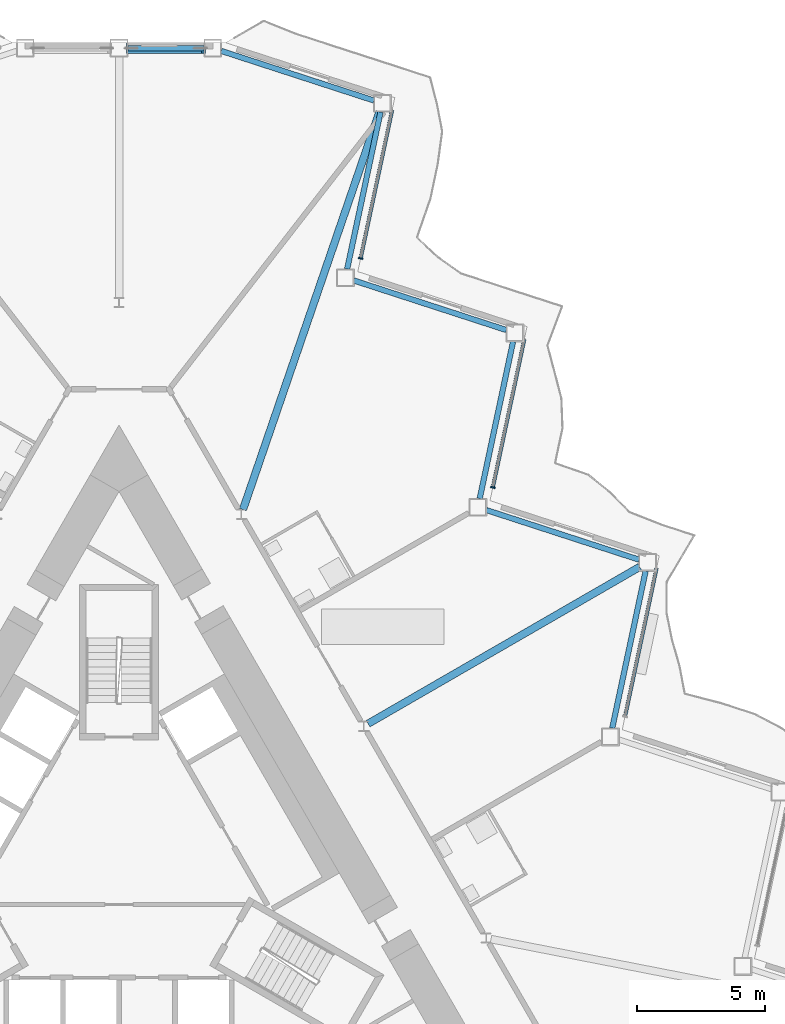
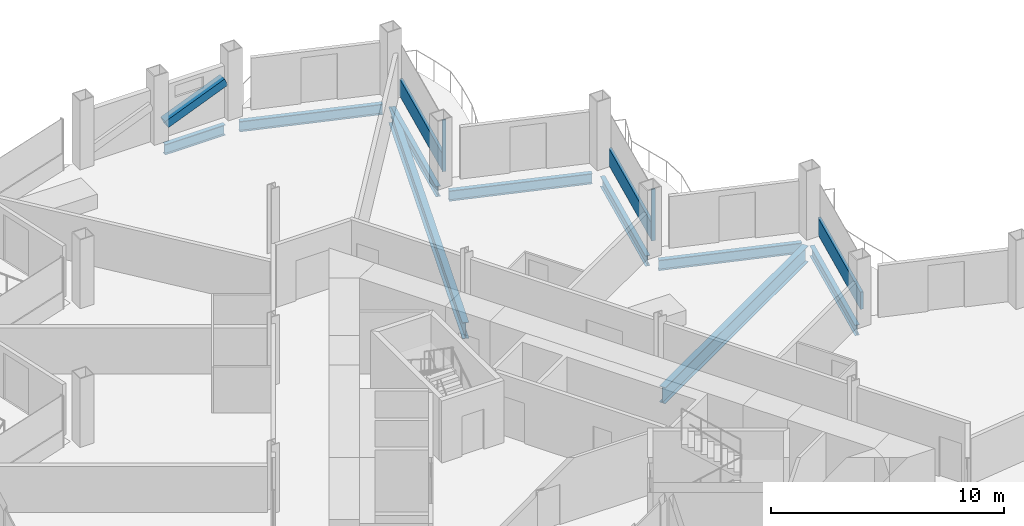
# One storey, part 9 of 23: 9 beams, 6 members, 3 elements without a shape of their own.
"""IFC4 building model written with IfcOpenShell, lengths in metres."""

from ifc_helpers import new_model, si_unit, direction, frame, origin, origin_2d, place, context, subcontext, project, spatial, rectangle, hollow_rectangle, i_section, extrude, material, layer, layer_set, material_profile, profile_set, type_object, element, aggregate, save


model = new_model("IFC4")

# Units and contexts
model_context = context("Model", 3, precision=1e-05, world=origin(), true_north=direction((0.0, 1.0)))
body_context = subcontext(model_context, "Body", "Model", "MODEL_VIEW")
ifc_project = project(units=[si_unit("LENGTHUNIT", "METRE"), si_unit("AREAUNIT", "SQUARE_METRE"), si_unit("VOLUMEUNIT", "CUBIC_METRE"), si_unit("PLANEANGLEUNIT", "RADIAN"), si_unit("MASSUNIT", "GRAM", prefix="KILO")], contexts=[model_context])

# Site, building, storey
site_placement = place(None, origin())
site = spatial("IfcSite", under=ifc_project, at=site_placement, CompositionType="ELEMENT")
building_placement = place(site_placement, origin())
building = spatial("IfcBuilding", under=site, at=building_placement, Name="Cormorant Prow Tower", CompositionType="ELEMENT")
storey_placement = place(building_placement, frame((0.0, 0.0, 241.800048828125)))
storey = spatial("IfcBuildingStorey", under=building, at=storey_placement, Name="L53", CompositionType="ELEMENT", Elevation=241.800048828125)

# Member
ifc_material_1 = material(Name="Structural steel ASTM A500 Gr C", Category="steel")
ifc_material_profile_1 = material_profile(ifc_material_1, hollow_rectangle(XDim=0.406494140625, YDim=0.406494140625, WallThickness=0.01171875, at=origin_2d()), Name="HSS16x16x1/2")
ifc_profile_set_1 = profile_set([ifc_material_profile_1], Name="Structural steel ASTM A500 Gr C")
member_type_1 = type_object("IfcMemberType", Name="Chamfer brace HSS16x16x1/2", PredefinedType="BRACE", material=ifc_profile_set_1)
member_1_placement = place(storey_placement, frame((0.36572265625, 32.073486328125, 0.74951171875), z_axis=(0.925591042089, 0.0, 0.37852506232), x_axis=(0.0, 1.0, 0.0)))
element("IfcMember", 1, at=member_1_placement, inside=storey, type_object=member_type_1, Name="Chamfer brace BR2 at N00 L53", PredefinedType="BRACE", context=body_context, shape_type="SweptSolid", body=[
    extrude(hollow_rectangle(XDim=0.406494140625, YDim=0.406494140625, WallThickness=0.01171875, at=origin_2d()), origin(), (0.0, 0.0, 1.0), 3.17529296875),
])

# Curtain wall, member
ifc_material_2 = material(Name="Aluminium 6063-T6", Category="aluminium")
ifc_layer = layer(ifc_material_2, 0.179931640625)
ifc_layer_set = layer_set([ifc_layer], Name="Aluminium 6063-T6")
curtain_wall_type = type_object("IfcCurtainWallType", Name="Hotel unitised curtain wall 180", PredefinedType="NOTDEFINED", material=ifc_layer_set)
curtain_wall_1_placement = place(storey_placement, origin())
curtain_wall_1 = element("IfcCurtainWall", 2, at=curtain_wall_1_placement, inside=storey, type_object=curtain_wall_type, Name="Hotel curtain wall ENE06", PredefinedType="NOTDEFINED")
ifc_material_3 = material(Name="Aluminium 6063-T6", Category="aluminium")
ifc_material_profile_2 = material_profile(ifc_material_3, rectangle(XDim=0.179931640625, YDim=0.06005859375, at=origin_2d()), Name="Hotel mullion 60x180")
ifc_profile_set_2 = profile_set([ifc_material_profile_2], Name="Aluminium 6063-T6")
member_type_2 = type_object("IfcMemberType", Name="Hotel mullion 60x180", PredefinedType="MULLION", material=ifc_profile_set_2)
member_2_placement = place(storey_placement, frame((14.633544921875, 14.880859375, 0.0), z_axis=(0.0, 0.0, 1.0), x_axis=(-0.978147570318, 0.207911833914, 0.0)))
member_2 = element("IfcMember", 3, at=member_2_placement, type_object=member_type_2, Name="Hotel mullion ENE06", PredefinedType="MULLION", context=body_context, shape_type="SweptSolid", body=[
    extrude(rectangle(XDim=0.179931640625, YDim=0.06005859375, at=origin_2d()), origin(), (0.0, 0.0, 1.0), 2.700927734375),
])

curtain_wall_2_placement = place(storey_placement, origin())
curtain_wall_2 = element("IfcCurtainWall", 4, at=curtain_wall_2_placement, inside=storey, type_object=curtain_wall_type, Name="Hotel curtain wall ENE08", PredefinedType="NOTDEFINED")
member_3_placement = place(storey_placement, frame((9.4580078125, 23.845458984375, 0.0), z_axis=(0.0, 0.0, 1.0), x_axis=(-0.978147605727, 0.207911667327, 0.0)))
member_3 = element("IfcMember", 5, at=member_3_placement, type_object=member_type_2, Name="Hotel mullion ENE08", PredefinedType="MULLION", context=body_context, shape_type="SweptSolid", body=[
    extrude(rectangle(XDim=0.179931640625, YDim=0.06005859375, at=origin_2d()), origin(), (0.0, 0.0, 1.0), 2.700927734375),
])

curtain_wall_3_placement = place(storey_placement, origin())
curtain_wall_3 = element("IfcCurtainWall", 6, at=curtain_wall_3_placement, inside=storey, type_object=curtain_wall_type, Name="Hotel curtain wall ENE04", PredefinedType="NOTDEFINED")
ifc_material_4 = material(Name="Terracotta", Category="masonry")
ifc_material_profile_3 = material_profile(ifc_material_4, rectangle(XDim=0.139892578125, YDim=0.89990234375, at=origin_2d()), Name="Hotel terracotta spandrel rail 140x900")
ifc_profile_set_3 = profile_set([ifc_material_profile_3], Name="Terracotta")
member_type_3 = type_object("IfcMemberType", Name="Hotel terracotta spandrel rail 140x900", PredefinedType="USERDEFINED", material=ifc_profile_set_3)
member_4_placement = place(storey_placement, frame((19.815673828125, 5.945556640625, 0.449951171875), z_axis=(0.20788200566, 0.978153910038, 0.0), x_axis=(-0.978153910038, 0.20788200566, 0.0)))
member_4 = element("IfcMember", 7, at=member_4_placement, type_object=member_type_3, Name="Hotel spandrel rail ENE04", ObjectType="TRANSOM", PredefinedType="USERDEFINED", context=body_context, shape_type="SweptSolid", body=[
    extrude(rectangle(XDim=0.139892578125, YDim=0.89990234375, at=origin_2d()), origin(), (0.0, 0.0, 1.0), 5.902587890625),
])
aggregate(curtain_wall_3, [member_4])

# Member
member_5_placement = place(storey_placement, frame((14.639892578125, 14.91015625, 0.449951171875), z_axis=(0.207921579045, 0.978145498874, 0.0), x_axis=(-0.978145498874, 0.207921579045, 0.0)))
member_5 = element("IfcMember", 8, at=member_5_placement, type_object=member_type_3, Name="Hotel spandrel rail ENE06", ObjectType="TRANSOM", PredefinedType="USERDEFINED", context=body_context, shape_type="SweptSolid", body=[
    extrude(rectangle(XDim=0.139892578125, YDim=0.89990234375, at=origin_2d()), origin(), (0.0, 0.0, 1.0), 5.902587890625),
])

aggregate(curtain_wall_1, [member_2, member_5])

member_6_placement = place(storey_placement, frame((9.464111328125, 23.874755859375, 0.449951171875), z_axis=(0.207921579045, 0.978145498874, 0.0), x_axis=(-0.978145498874, 0.207921579045, 0.0)))
member_6 = element("IfcMember", 9, at=member_6_placement, type_object=member_type_3, Name="Hotel spandrel rail ENE08", ObjectType="TRANSOM", PredefinedType="USERDEFINED", context=body_context, shape_type="SweptSolid", body=[
    extrude(rectangle(XDim=0.139892578125, YDim=0.89990234375, at=origin_2d()), origin(), (0.0, 0.0, 1.0), 5.902587890625),
])

aggregate(curtain_wall_2, [member_3, member_6])

# Beams
ifc_material_5 = material(Name="Structural steel ASTM A992 Gr 50", Category="steel")
ifc_material_profile_4 = material_profile(ifc_material_5, i_section(OverallWidth=0.29296875, OverallDepth=0.845703125, WebThickness=0.015380859375, FlangeThickness=0.0244140625, at=origin_2d()), Name="W33x141")
ifc_profile_set_4 = profile_set([ifc_material_profile_4], Name="Structural steel ASTM A992 Gr 50")
beam_type_1 = type_object("IfcBeamType", Name="Radial floor beam W33x141", PredefinedType="BEAM", material=ifc_profile_set_4)
beam_1_placement = place(storey_placement, frame((9.751220703125, 5.6298828125, -0.77294921875), z_axis=(0.866021995826, 0.500005902711, 0.0), x_axis=(-0.500005902711, 0.866021995826, 0.0)))
element("IfcBeam", 10, at=beam_1_placement, inside=storey, type_object=beam_type_1, Name="Radial floor beam FB2 11 L53", PredefinedType="BEAM", context=body_context, shape_type="SweptSolid", body=[
    extrude(i_section(OverallWidth=0.29296875, OverallDepth=0.845703125, WebThickness=0.015380859375, FlangeThickness=0.0244140625, at=origin_2d()), origin(), (0.0, 0.0, 1.0), 12.277099609375),
])
beam_2_placement = place(storey_placement, frame((4.85400390625, 14.013916015625, -0.77294921875), z_axis=(0.324535507117, 0.945873514071, 0.0), x_axis=(-0.945873514071, 0.324535507117, 0.0)))
element("IfcBeam", 11, at=beam_2_placement, inside=storey, type_object=beam_type_1, Name="Radial floor beam FB2 12 L53", PredefinedType="BEAM", context=body_context, shape_type="SweptSolid", body=[
    extrude(i_section(OverallWidth=0.29296875, OverallDepth=0.845703125, WebThickness=0.015380859375, FlangeThickness=0.0244140625, at=origin_2d()), origin(), (0.0, 0.0, 1.0), 16.462158203125),
])
ifc_material_6 = material(Name="Structural steel ASTM A992 Gr 50", Category="steel")
ifc_material_profile_5 = material_profile(ifc_material_6, i_section(OverallWidth=0.2138671875, OverallDepth=0.549072265625, WebThickness=0.0146484375, FlangeThickness=0.023681640625, at=origin_2d()), Name="W21x93")
ifc_profile_set_5 = profile_set([ifc_material_profile_5], Name="Structural steel ASTM A992 Gr 50")
beam_type_2 = type_object("IfcBeamType", Name="Spandrel beam W21x93", PredefinedType="SPANDREL", material=ifc_profile_set_5)
beam_3_placement = place(storey_placement, frame((19.307861328125, 5.456787109375, -0.62451171875), z_axis=(0.207933593793, 0.978142944856, 0.0), x_axis=(-0.978142944856, 0.207933593793, 0.0)))
element("IfcBeam", 12, at=beam_3_placement, inside=storey, type_object=beam_type_2, Name="Spandrel beam SB2 ENE04-ENE05 L53", PredefinedType="SPANDREL", context=body_context, shape_type="SweptSolid", body=[
    extrude(i_section(OverallWidth=0.2138671875, OverallDepth=0.549072265625, WebThickness=0.0146484375, FlangeThickness=0.023681640625, at=origin_2d()), origin(), (0.0, 0.0, 1.0), 6.281494140625),
])
beam_4_placement = place(storey_placement, frame((20.353759765625, 12.051513671875, -0.62451171875), z_axis=(-0.951050348284, 0.309035976918, 0.0), x_axis=(-0.309035976918, -0.951050348284, 0.0)))
element("IfcBeam", 13, at=beam_4_placement, inside=storey, type_object=beam_type_2, Name="Spandrel beam SB2 ENE05-ENE06 L53", PredefinedType="SPANDREL", context=body_context, shape_type="SweptSolid", body=[
    extrude(i_section(OverallWidth=0.2138671875, OverallDepth=0.549072265625, WebThickness=0.0146484375, FlangeThickness=0.023681640625, at=origin_2d()), origin(), (0.0, 0.0, 1.0), 6.28125),
])
beam_5_placement = place(storey_placement, frame((14.11962890625, 14.443115234375, -0.62451171875), z_axis=(0.207933593793, 0.978142944856, 0.0), x_axis=(-0.978142944856, 0.207933593793, 0.0)))
element("IfcBeam", 14, at=beam_5_placement, inside=storey, type_object=beam_type_2, Name="Spandrel beam SB2 ENE06-ENE07 L53", PredefinedType="SPANDREL", context=body_context, shape_type="SweptSolid", body=[
    extrude(i_section(OverallWidth=0.2138671875, OverallDepth=0.549072265625, WebThickness=0.0146484375, FlangeThickness=0.023681640625, at=origin_2d()), origin(), (0.0, 0.0, 1.0), 6.281494140625),
])
beam_6_placement = place(storey_placement, frame((15.16552734375, 21.037841796875, -0.62451171875), z_axis=(-0.951050348284, 0.309035976918, 0.0), x_axis=(-0.309035976918, -0.951050348284, 0.0)))
element("IfcBeam", 15, at=beam_6_placement, inside=storey, type_object=beam_type_2, Name="Spandrel beam SB2 ENE07-ENE08 L53", PredefinedType="SPANDREL", context=body_context, shape_type="SweptSolid", body=[
    extrude(i_section(OverallWidth=0.2138671875, OverallDepth=0.549072265625, WebThickness=0.0146484375, FlangeThickness=0.023681640625, at=origin_2d()), origin(), (0.0, 0.0, 1.0), 6.28125),
])
for number, where, z_axis, x_axis, name in (
    (16, (8.931396484375, 23.429443359375, -0.62451171875), (0.207896407679, 0.97815084914, 0.0), (-0.97815084914, 0.207896407679, 0.0), "Spandrel beam SB2 ENE08-ENE09 L53"),
    (17, (9.977294921875, 30.024169921875, -0.62451171875), (-0.951054060056, 0.309024553801, 0.0), (-0.309024553801, -0.951054060056, 0.0), "Spandrel beam SB2 ENE09-N00 L53"),
):
    element("IfcBeam", number, at=place(storey_placement, frame(where, z_axis=z_axis, x_axis=x_axis)), inside=storey, type_object=beam_type_2, Name=name, PredefinedType="SPANDREL", context=body_context, shape_type="SweptSolid", body=[
        extrude(i_section(OverallWidth=0.2138671875, OverallDepth=0.549072265625, WebThickness=0.0146484375, FlangeThickness=0.023681640625, at=origin_2d()), origin(), (0.0, 0.0, 1.0), 6.281494140625),
    ])
beam_7_placement = place(storey_placement, frame((3.3203125, 32.073486328125, -0.62451171875), z_axis=(-1.0, 0.0, 0.0), x_axis=(0.0, -1.0, 0.0)))
element("IfcBeam", 18, at=beam_7_placement, inside=storey, type_object=beam_type_2, Name="Spandrel beam SB2 N00-N01 L53", PredefinedType="SPANDREL", context=body_context, shape_type="SweptSolid", body=[
    extrude(i_section(OverallWidth=0.2138671875, OverallDepth=0.549072265625, WebThickness=0.0146484375, FlangeThickness=0.023681640625, at=origin_2d()), origin(), (0.0, 0.0, 1.0), 2.97021484375),
])

save(model, "model.ifc")
